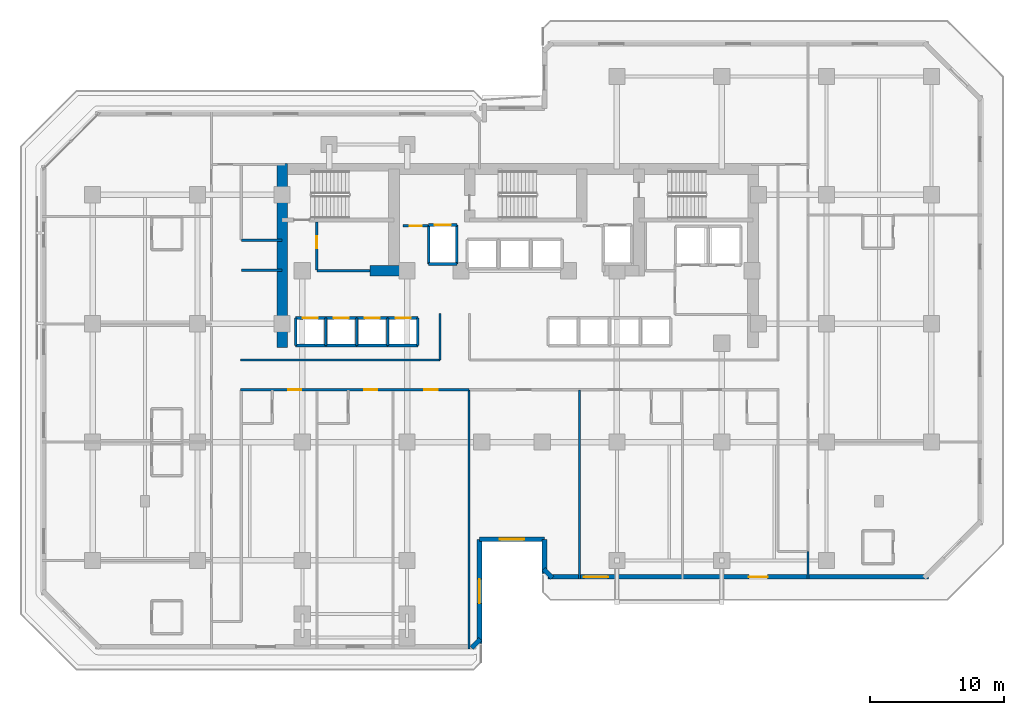
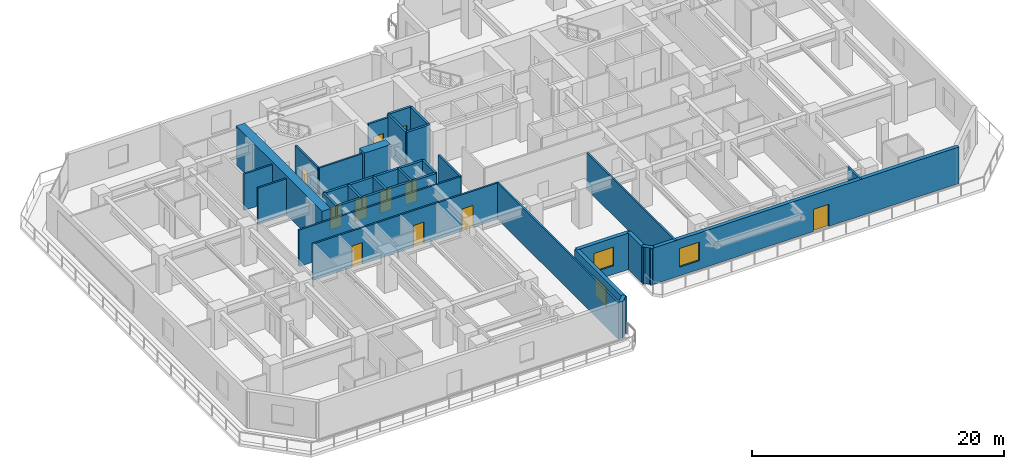
# One storey, part 7 of 12: 36 walls, 11 doors, 3 windows, 14 openings.
"""IFC4 building model written with IfcOpenShell, lengths in metres."""

import ifcopenshell
import ifcopenshell.guid

model = None  # the IFC model being written
_history = None  # IfcOwnerHistory: only IFC2X3 demands one
_inside = {}  # id of a spatial element -> (the spatial element, [elements in it])
_under = {}  # id of a project, library or spatial element -> (it, [spatial elements below it])
_declared = {}  # id of a project -> (the project, [libraries it declares])
_typed = {}  # id of a type object -> (the type object, [elements of that type])
_made_of = {}  # id of a material, layer set ... -> (it, [elements and type objects made of it])


def new_model(schema):
    """Start an empty IFC model of exactly this schema.

    Asked for "IFC4X3", IfcOpenShell would pick the latest addendum, in which some entities
    have other attributes; the version numbers below select the first issue.
    IFC2X3 requires an IfcOwnerHistory on every rooted entity: one is made here for all.
    """
    global model, _history
    if schema == "IFC4X3":
        model = ifcopenshell.file(schema_version=(4, 3, 0, 0))
    else:
        model = ifcopenshell.file(schema=schema)
    _inside.clear()
    _under.clear()
    _declared.clear()
    _typed.clear()
    _made_of.clear()
    _history = None
    if model.schema == "IFC2X3":
        org = make("IfcOrganization", Name="unknown")
        user = make(
            "IfcPersonAndOrganization",
            ThePerson=make("IfcPerson", FamilyName="unknown"),
            TheOrganization=org,
        )
        app = make(
            "IfcApplication",
            ApplicationDeveloper=org,
            Version="unknown",
            ApplicationFullName="unknown",
            ApplicationIdentifier="unknown",
        )
        _history = make(
            "IfcOwnerHistory",
            OwningUser=user,
            OwningApplication=app,
            ChangeAction="ADDED",
            CreationDate=0,
        )
    return model


def make(cls, **values):
    """One entity of the class cls with the attributes given. An attribute that is None is left unset."""
    return model.create_entity(
        cls, **{name: value for name, value in values.items() if value is not None}
    )


def rooted(cls, **values):
    """An entity with a GlobalId (a new one), such as an element, a storey or a relation."""
    return make(cls, GlobalId=ifcopenshell.guid.new(), OwnerHistory=_history, **values)


def si_unit(unit_type, name, prefix=None):
    """IfcSIUnit, for example si_unit("LENGTHUNIT", "METRE", prefix="MILLI")."""
    return make("IfcSIUnit", UnitType=unit_type, Prefix=prefix, Name=name)


def assignment(units):
    """IfcUnitAssignment: the units of a project."""
    return None if units is None else make("IfcUnitAssignment", Units=units)


def point(xyz):
    """IfcCartesianPoint."""
    return None if xyz is None else make("IfcCartesianPoint", Coordinates=xyz)


def direction(xyz):
    """IfcDirection."""
    return None if xyz is None else make("IfcDirection", DirectionRatios=xyz)


def frame(location, z_axis=None, x_axis=None):
    """IfcAxis2Placement3D, a coordinate frame: its origin and axes. An axis left out is left unset."""
    return make(
        "IfcAxis2Placement3D",
        Location=point(location),
        Axis=direction(z_axis),
        RefDirection=direction(x_axis),
    )


def frame_2d(location, x_axis=None):
    """IfcAxis2Placement2D, a coordinate frame in the plane: its origin and x axis."""
    return make(
        "IfcAxis2Placement2D", Location=point(location), RefDirection=direction(x_axis)
    )


def origin():
    """The frame at (0, 0, 0) with its axes left unset."""
    return frame((0.0, 0.0, 0.0))


def place(relative_to, where):
    """IfcLocalPlacement: puts the frame where relative to a parent placement (None: the world)."""
    return make(
        "IfcLocalPlacement", PlacementRelTo=relative_to, RelativePlacement=where
    )


def context(
    kind, dimensions, precision=None, world=None, true_north=None, identifier=None
):
    """IfcGeometricRepresentationContext, for example the 3D "Model" context."""
    return make(
        "IfcGeometricRepresentationContext",
        ContextIdentifier=identifier,
        ContextType=kind,
        CoordinateSpaceDimension=dimensions,
        Precision=precision,
        WorldCoordinateSystem=world,
        TrueNorth=true_north,
    )


def subcontext(parent, identifier, kind, view, scale=None):
    """IfcGeometricRepresentationSubContext, for example "Body" below "Model"."""
    return make(
        "IfcGeometricRepresentationSubContext",
        ContextIdentifier=identifier,
        ContextType=kind,
        ParentContext=parent,
        TargetScale=scale,
        TargetView=view,
    )


def project(units=None, contexts=None):
    """IfcProject with its units and contexts."""
    return rooted(
        "IfcProject",
        Name="project",
        RepresentationContexts=contexts,
        UnitsInContext=assignment(units),
    )


def spatial(cls, under=None, at=None, **own):
    """A site, building, storey or space (cls), placed at a placement, below another one or the project."""
    s = rooted(cls, ObjectPlacement=at, **own)
    if under is not None:
        _under.setdefault(under.id(), (under, []))[1].append(s)
    return s


def profile(cls, at=None, kind="AREA", **sizes):
    """A parametric profile (cls). Its sizes go by their IFC names, for example OverallWidth=200.0."""
    return make(cls, ProfileType=kind, Position=at, **sizes)


def rectangle(**sizes):
    """IfcRectangleProfileDef."""
    return profile("IfcRectangleProfileDef", **sizes)


def extrude(swept, where, along, depth):
    """IfcExtrudedAreaSolid: the profile swept, set in the frame where, extruded along a direction by depth."""
    return make(
        "IfcExtrudedAreaSolid",
        SweptArea=swept,
        Position=where,
        ExtrudedDirection=direction(along),
        Depth=depth,
    )


def shape(context_of_items, identifier, shape_type, items):
    """IfcShapeRepresentation: the items that make up one representation, for example the "Body"."""
    return make(
        "IfcShapeRepresentation",
        ContextOfItems=context_of_items,
        RepresentationIdentifier=identifier,
        RepresentationType=shape_type,
        Items=items,
    )


def material(Name=None, Category=None):
    """IfcMaterial."""
    return make("IfcMaterial", Name=Name, Category=Category)


def layer(
    of_material, thickness, ventilated=None, Name=None, Category=None, Priority=None
):
    """IfcMaterialLayer: one layer of a wall or slab, of a material (None: an air gap)."""
    return make(
        "IfcMaterialLayer",
        Material=of_material,
        LayerThickness=thickness,
        IsVentilated=ventilated,
        Name=Name,
        Category=Category,
        Priority=Priority,
    )


def layer_set(layers, Name=None):
    """IfcMaterialLayerSet."""
    return make("IfcMaterialLayerSet", MaterialLayers=layers, LayerSetName=Name)


def made_of(thing, what):
    """Note that an element or type object is made of a material, layer set ...; save() writes the relation."""
    if what is not None:
        _made_of.setdefault(what.id(), (what, []))[1].append(thing)
    return thing


def type_object(cls, material=None, **own):
    """A type object (cls), such as IfcWallType, which elements share."""
    return made_of(rooted(cls, **own), material)


def element(
    cls,
    number,
    at=None,
    inside=None,
    cuts=None,
    type_object=None,
    material=None,
    context=None,
    identifier="Body",
    shape_type=None,
    held_by="IfcProductDefinitionShape",
    body=None,
    shapes=None,
    **own,
):
    """One element of the class cls, such as IfcWall. Its Tag is "e" and its number.

    at: its placement. inside: the storey or other place that contains it. cuts: it is an
    opening in that element (IfcRelVoidsElement). A single representation is given by context,
    identifier, shape_type and body (its items); several are given by shapes. held_by: the class
    of the entity that holds the representations. save() writes the other relations.
    """
    e = rooted(cls, Tag="e%d" % number, ObjectPlacement=at, **own)
    if body is not None:
        shapes = [shape(context, identifier, shape_type, body)]
    if shapes is not None:
        e.Representation = make(held_by, Representations=shapes)
    if inside is not None:
        _inside.setdefault(inside.id(), (inside, []))[1].append(e)
    if cuts is not None:
        rooted(
            "IfcRelVoidsElement", RelatingBuildingElement=cuts, RelatedOpeningElement=e
        )
    if type_object is not None:
        _typed.setdefault(type_object.id(), (type_object, []))[1].append(e)
    return made_of(e, material)


def fill(opening, filler):
    """IfcRelFillsElement: the door or window that sits in an opening."""
    return rooted(
        "IfcRelFillsElement",
        RelatingOpeningElement=opening,
        RelatedBuildingElement=filler,
    )


def aggregate(whole, parts):
    """IfcRelAggregates: a whole, such as a stair, and the parts it consists of."""
    return rooted("IfcRelAggregates", RelatingObject=whole, RelatedObjects=parts)


def save(model, path):
    """Write the relations noted so far, then the file.

    IfcRelAggregates (storeys below a building ...), IfcRelContainedInSpatialStructure (elements
    in a storey), IfcRelDefinesByType, IfcRelAssociatesMaterial and IfcRelDeclares: one each for
    every whole, place, type object, material and project.
    """
    for whole, parts in _under.values():
        aggregate(whole, parts)
    for where, things in _inside.values():
        rooted(
            "IfcRelContainedInSpatialStructure",
            RelatedElements=things,
            RelatingStructure=where,
        )
    for kind, things in _typed.values():
        rooted("IfcRelDefinesByType", RelatedObjects=things, RelatingType=kind)
    for what, things in _made_of.values():
        rooted("IfcRelAssociatesMaterial", RelatedObjects=things, RelatingMaterial=what)
    for by, libraries in _declared.values():
        rooted("IfcRelDeclares", RelatingContext=by, RelatedDefinitions=libraries)
    model.write(path)


model = new_model("IFC4")

# Units and contexts
model_context = context("Model", 3, precision=1e-05, world=origin(), true_north=direction((0.0, 1.0)))
body_context = subcontext(model_context, "Body", "Model", "MODEL_VIEW")
ifc_project = project(units=[si_unit("LENGTHUNIT", "METRE"), si_unit("AREAUNIT", "SQUARE_METRE"), si_unit("VOLUMEUNIT", "CUBIC_METRE"), si_unit("PLANEANGLEUNIT", "RADIAN"), si_unit("MASSUNIT", "GRAM", prefix="KILO")], contexts=[model_context])

# Site, building, storey
site_placement = place(None, origin())
site = spatial("IfcSite", under=ifc_project, at=site_placement, CompositionType="ELEMENT")
building_placement = place(site_placement, origin())
building = spatial("IfcBuilding", under=site, at=building_placement, Name="Kestravale Grand Hotel", CompositionType="ELEMENT")
storey_placement = place(building_placement, frame((0.0, 0.0, 80.39990234375)))
storey = spatial("IfcBuildingStorey", under=building, at=storey_placement, Name="L19", CompositionType="ELEMENT", Elevation=80.39990234375)

# Walls
ifc_material_1 = material(Name="Concrete f'c 60 MPa", Category="concrete")
ifc_layer_1 = layer(ifc_material_1, 0.800048828125)
ifc_layer_set_1 = layer_set([ifc_layer_1], Name="EW-CORE-800")
wall_type_1 = type_object("IfcWallType", Name="EW-CORE-800", PredefinedType="SHEAR", material=ifc_layer_set_1)
wall_1_placement = place(storey_placement, frame((21.89990234375, 27.050048828125, 0.0), z_axis=(0.0, 0.0, 1.0), x_axis=(0.0, 1.0, 0.0)))
element("IfcWall", 1, at=wall_1_placement, inside=storey, type_object=wall_type_1, Name="L19 core shear wall W1", PredefinedType="SHEAR", context=body_context, shape_type="SweptSolid", body=[
    extrude(rectangle(XDim=13.669921875, YDim=0.800048828125, at=frame_2d((6.8349609375, 0.0))), origin(), (0.0, 0.0, 1.0), 3.800048828125),
])
wall_2_placement = place(storey_placement, frame((28.449951171875, 32.75, 0.0), z_axis=(0.0, 0.0, 1.0), x_axis=(1.0, 0.0, 0.0)))
element("IfcWall", 2, at=wall_2_placement, inside=storey, type_object=wall_type_1, Name="L19 core shear wall S1", PredefinedType="SHEAR", context=body_context, shape_type="SweptSolid", body=[
    extrude(rectangle(XDim=2.400146484375, YDim=0.800048828125, at=frame_2d((1.2001953125, 0.0))), origin(), (0.0, 0.0, 1.0), 3.800048828125),
])
ifc_material_2 = material(Name="Precast concrete f'c 45 MPa", Category="concrete")
ifc_layer_2 = layer(ifc_material_2, 0.340087890625)
ifc_layer_set_2 = layer_set([ifc_layer_2], Name="EW-PREC-340")
wall_type_2 = type_object("IfcWallType", Name="EW-PREC-340", PredefinedType="SOLIDWALL", material=ifc_layer_set_2)
wall_3_placement = place(storey_placement, frame((36.00146484375, 4.69189453125, 0.0), z_axis=(0.0, 0.0, 1.0), x_axis=(0.707238225886, 0.706975312048, 0.0)))
element("IfcWall", 3, at=wall_3_placement, inside=storey, type_object=wall_type_2, Name="L19 fluted precast facade wall 2", PredefinedType="SOLIDWALL", context=body_context, shape_type="SweptSolid", body=[
    extrude(rectangle(XDim=0.9287109375, YDim=0.340087890625, at=frame_2d((0.46435546875, 0.0))), origin(), (0.0, 0.0, 1.0), 3.5400390625),
])

# Wall, opening, window
wall_4_placement = place(storey_placement, frame((36.580078125, 5.030029296875, 0.0), z_axis=(0.0, 0.0, 1.0), x_axis=(0.0, 1.0, 0.0)))
wall_4 = element("IfcWall", 4, at=wall_4_placement, inside=storey, type_object=wall_type_2, Name="L19 fluted precast facade wall 3", PredefinedType="SOLIDWALL", context=body_context, shape_type="SweptSolid", body=[
    extrude(rectangle(XDim=7.739990234375, YDim=0.340087890625, at=frame_2d((3.8701171875, 0.0))), origin(), (0.0, 0.0, 1.0), 3.5400390625),
])
opening_1_placement = place(wall_4_placement, frame((2.969970703125, 0.0, 0.85009765625)))
opening_1 = element("IfcOpeningElement", 5, at=opening_1_placement, cuts=wall_4, Name="Opening W-GUEST-1800", PredefinedType="OPENING", context=body_context, shape_type="SweptSolid", body=[
    extrude(rectangle(XDim=1.800048828125, YDim=1.800048828125, at=frame_2d((0.89990234375, 0.89990234375))), frame((0.0, 0.179931640625, 0.0), z_axis=(0.0, -1.0, 0.0), x_axis=(1.0, 0.0, 0.0)), (0.0, 0.0, 1.0), 0.360107421875),
])
ifc_material_3 = material(Name="Insulated low-E double glazing in aluminium frame", Category="aluminium")
window_type = type_object("IfcWindowType", Name="W-GUEST-1800", PartitioningType="DOUBLE_PANEL_VERTICAL", PredefinedType="WINDOW", material=ifc_material_3)
window_1_placement = place(opening_1_placement, origin())
window_1 = element("IfcWindow", 6, at=window_1_placement, inside=storey, type_object=window_type, Name="L19 exterior window 3.1", OverallHeight=1.800048828125, OverallWidth=1.800048828125, PartitioningType="SINGLE_PANEL", PredefinedType="WINDOW", context=body_context, shape_type="SweptSolid", body=[
    extrude(rectangle(XDim=1.800048828125, YDim=1.800048828125, at=frame_2d((0.89990234375, 0.89990234375))), frame((0.0, 0.030029296875, 0.0), z_axis=(0.0, -1.0, 0.0), x_axis=(1.0, 0.0, 0.0)), (0.0, 0.0, 1.0), 0.06005859375),
])
fill(opening_1, window_1)

wall_5_placement = place(storey_placement, frame((36.580078125, 12.77001953125, 0.0), z_axis=(0.0, 0.0, 1.0), x_axis=(1.0, 0.0, 0.0)))
wall_5 = element("IfcWall", 7, at=wall_5_placement, inside=storey, type_object=wall_type_2, Name="L19 fluted precast facade wall 4", PredefinedType="SOLIDWALL", context=body_context, shape_type="SweptSolid", body=[
    extrude(rectangle(XDim=4.83984375, YDim=0.340087890625, at=frame_2d((2.419921875, 0.0))), origin(), (0.0, 0.0, 1.0), 3.5400390625),
])
opening_2_placement = place(wall_5_placement, frame((1.52001953125, 0.0, 0.85009765625)))
opening_2 = element("IfcOpeningElement", 8, at=opening_2_placement, cuts=wall_5, Name="Opening W-GUEST-1800", PredefinedType="OPENING", context=body_context, shape_type="SweptSolid", body=[
    extrude(rectangle(XDim=1.800048828125, YDim=1.800048828125, at=frame_2d((0.89990234375, 0.89990234375))), frame((0.0, 0.179931640625, 0.0), z_axis=(0.0, -1.0, 0.0), x_axis=(1.0, 0.0, 0.0)), (0.0, 0.0, 1.0), 0.360107421875),
])
window_2_placement = place(opening_2_placement, origin())
window_2 = element("IfcWindow", 9, at=window_2_placement, inside=storey, type_object=window_type, Name="L19 exterior window 4.1", OverallHeight=1.800048828125, OverallWidth=1.800048828125, PartitioningType="SINGLE_PANEL", PredefinedType="WINDOW", context=body_context, shape_type="SweptSolid", body=[
    extrude(rectangle(XDim=1.800048828125, YDim=1.800048828125, at=frame_2d((0.89990234375, 0.89990234375))), frame((0.0, 0.030029296875, 0.0), z_axis=(0.0, -1.0, 0.0), x_axis=(1.0, 0.0, 0.0)), (0.0, 0.0, 1.0), 0.06005859375),
])
fill(opening_2, window_2)

# Walls
wall_6_placement = place(storey_placement, frame((41.419921875, 12.77001953125, 0.0), z_axis=(0.0, 0.0, 1.0), x_axis=(0.0, -1.0, 0.0)))
element("IfcWall", 10, at=wall_6_placement, inside=storey, type_object=wall_type_2, Name="L19 fluted precast facade wall 5", PredefinedType="SOLIDWALL", context=body_context, shape_type="SweptSolid", body=[
    extrude(rectangle(XDim=2.5400390625, YDim=0.340087890625, at=frame_2d((1.27001953125, 0.0))), origin(), (0.0, 0.0, 1.0), 3.5400390625),
])
wall_7_placement = place(storey_placement, frame((41.341796875, 10.548583984375, 0.0), z_axis=(0.0, 0.0, 1.0), x_axis=(0.707106781187, -0.707106781187, 0.0)))
element("IfcWall", 11, at=wall_7_placement, inside=storey, type_object=wall_type_2, Name="L19 fluted precast facade wall 6", PredefinedType="SOLIDWALL", context=body_context, shape_type="SweptSolid", body=[
    extrude(rectangle(XDim=0.9287109375, YDim=0.340087890625, at=frame_2d((0.46435546875, 0.0))), origin(), (0.0, 0.0, 1.0), 3.5400390625),
])

# Wall, openings, door, window
wall_8_placement = place(storey_placement, frame((41.679931640625, 9.969970703125, 0.0), z_axis=(0.0, 0.0, 1.0), x_axis=(1.0, 0.0, 0.0)))
wall_8 = element("IfcWall", 12, at=wall_8_placement, inside=storey, type_object=wall_type_2, Name="L19 fluted precast facade wall 7", PredefinedType="SOLIDWALL", context=body_context, shape_type="SweptSolid", body=[
    extrude(rectangle(XDim=28.2900390625, YDim=0.340087890625, at=frame_2d((14.14501953125, 0.0))), origin(), (0.0, 0.0, 1.0), 3.5400390625),
])
opening_3_placement = place(wall_8_placement, frame((14.945068359375, 0.0, 0.0)))
opening_3 = element("IfcOpeningElement", 13, at=opening_3_placement, cuts=wall_8, Name="Opening D-TERR-1400", PredefinedType="OPENING", context=body_context, shape_type="SweptSolid", body=[
    extrude(rectangle(XDim=1.39990234375, YDim=2.14990234375, at=frame_2d((0.699951171875, 1.074951171875))), frame((0.0, 0.179931640625, 0.0), z_axis=(0.0, -1.0, 0.0), x_axis=(1.0, 0.0, 0.0)), (0.0, 0.0, 1.0), 0.360107421875),
])
opening_4_placement = place(wall_8_placement, frame((2.6650390625, 0.0, 0.85009765625)))
opening_4 = element("IfcOpeningElement", 14, at=opening_4_placement, cuts=wall_8, Name="Opening W-GUEST-1800", PredefinedType="OPENING", context=body_context, shape_type="SweptSolid", body=[
    extrude(rectangle(XDim=1.800048828125, YDim=1.800048828125, at=frame_2d((0.89990234375, 0.89990234375))), frame((0.0, 0.179931640625, 0.0), z_axis=(0.0, -1.0, 0.0), x_axis=(1.0, 0.0, 0.0)), (0.0, 0.0, 1.0), 0.360107421875),
])
ifc_material_4 = material(Name="Insulated glazed champagne-bronze aluminium door", Category="aluminium")
door_type_1 = type_object("IfcDoorType", Name="D-TERR-1400", OperationType="NOTDEFINED", PredefinedType="DOOR", material=ifc_material_4)
door_1_placement = place(opening_3_placement, origin())
door_1 = element("IfcDoor", 15, at=door_1_placement, inside=storey, type_object=door_type_1, Name="L19 outdoor garden terrace door", OperationType="DOUBLE_DOOR_SINGLE_SWING", OverallHeight=2.14990234375, OverallWidth=1.39990234375, PredefinedType="DOOR", context=body_context, shape_type="SweptSolid", body=[
    extrude(rectangle(XDim=1.39990234375, YDim=2.14990234375, at=frame_2d((0.699951171875, 1.074951171875))), frame((0.0, 0.02490234375, 0.0), z_axis=(0.0, -1.0, 0.0), x_axis=(1.0, 0.0, 0.0)), (0.0, 0.0, 1.0), 0.050048828125),
])
fill(opening_3, door_1)
window_3_placement = place(opening_4_placement, origin())
window_3 = element("IfcWindow", 16, at=window_3_placement, inside=storey, type_object=window_type, Name="L19 exterior window 7.1", OverallHeight=1.800048828125, OverallWidth=1.800048828125, PartitioningType="SINGLE_PANEL", PredefinedType="WINDOW", context=body_context, shape_type="SweptSolid", body=[
    extrude(rectangle(XDim=1.800048828125, YDim=1.800048828125, at=frame_2d((0.89990234375, 0.89990234375))), frame((0.0, 0.030029296875, 0.0), z_axis=(0.0, -1.0, 0.0), x_axis=(1.0, 0.0, 0.0)), (0.0, 0.0, 1.0), 0.06005859375),
])
fill(opening_4, window_3)

# Wall, opening, door
ifc_material_5 = material(Name="Acoustic fire-rated gypsum board partition", Category="other")
ifc_layer_3 = layer(ifc_material_5, 0.159912109375)
ifc_layer_set_3 = layer_set([ifc_layer_3], Name="IW-CORR-160")
wall_type_3 = type_object("IfcWallType", Name="IW-CORR-160", PredefinedType="PARTITIONING", material=ifc_layer_set_3)
wall_9_placement = place(storey_placement, frame((24.47998046875, 32.800048828125, 0.0), z_axis=(0.0, 0.0, 1.0), x_axis=(0.0, 1.0, 0.0)))
wall_9 = element("IfcWall", 17, at=wall_9_placement, inside=storey, type_object=wall_type_3, Name="L19 west core vestibule wall", PredefinedType="PARTITIONING", context=body_context, shape_type="SweptSolid", body=[
    extrude(rectangle(XDim=3.570068359375, YDim=0.159912109375, at=frame_2d((1.78515625, 0.0))), origin(), (0.0, 0.0, 1.0), 3.5400390625),
])
opening_5_placement = place(wall_9_placement, frame((1.603515625, 0.0, 0.0)))
opening_5 = element("IfcOpeningElement", 18, at=opening_5_placement, cuts=wall_9, Name="Opening D-SH-900", PredefinedType="OPENING", context=body_context, shape_type="SweptSolid", body=[
    extrude(rectangle(XDim=0.89990234375, YDim=2.10009765625, at=frame_2d((0.449951171875, 1.050048828125))), frame((0.0, 0.08984375, 0.0), z_axis=(0.0, -1.0, 0.0), x_axis=(1.0, 0.0, 0.0)), (0.0, 0.0, 1.0), 0.179931640625),
])
ifc_material_6 = material(Name="Galvanised 90-minute shaft and service fire door", Category="steel")
door_type_2 = type_object("IfcDoorType", Name="D-SH-900", OperationType="NOTDEFINED", PredefinedType="DOOR", material=ifc_material_6)
door_2_placement = place(opening_5_placement, origin())
door_2 = element("IfcDoor", 19, at=door_2_placement, inside=storey, type_object=door_type_2, Name="D-L19-HK", OperationType="SINGLE_SWING_RIGHT", OverallHeight=2.10009765625, OverallWidth=0.89990234375, PredefinedType="DOOR", context=body_context, shape_type="SweptSolid", body=[
    extrude(rectangle(XDim=0.89990234375, YDim=2.10009765625, at=frame_2d((0.449951171875, 1.050048828125))), frame((0.0, 0.02490234375, 0.0), z_axis=(0.0, -1.0, 0.0), x_axis=(1.0, 0.0, 0.0)), (0.0, 0.0, 1.0), 0.050048828125),
])
fill(opening_5, door_2)

# Walls
wall_10_placement = place(storey_placement, frame((24.47998046875, 32.75, 0.0), z_axis=(0.0, 0.0, 1.0), x_axis=(1.0, 0.0, 0.0)))
element("IfcWall", 20, at=wall_10_placement, inside=storey, type_object=wall_type_3, Name="W-L19-CWS", PredefinedType="PARTITIONING", context=body_context, shape_type="SweptSolid", body=[
    extrude(rectangle(XDim=3.969970703125, YDim=0.159912109375, at=frame_2d((1.98486328125, 0.0))), origin(), (0.0, 0.0, 1.0), 3.5400390625),
])
wall_11_placement = place(storey_placement, frame((18.800048828125, 26.110107421875, 0.0), z_axis=(0.0, 0.0, 1.0), x_axis=(1.0, 0.0, 0.0)))
element("IfcWall", 21, at=wall_11_placement, inside=storey, type_object=wall_type_3, Name="W-L19-CW-N", PredefinedType="PARTITIONING", context=body_context, shape_type="SweptSolid", body=[
    extrude(rectangle(XDim=14.849853515625, YDim=0.159912109375, at=frame_2d((7.4248046875, 0.0))), origin(), (0.0, 0.0, 1.0), 3.5400390625),
])
wall_12_placement = place(storey_placement, frame((33.64990234375, 26.110107421875, 0.0), z_axis=(0.0, 0.0, 1.0), x_axis=(0.0, 1.0, 0.0)))
element("IfcWall", 22, at=wall_12_placement, inside=storey, type_object=wall_type_3, Name="W-L19-TRUNK-W", PredefinedType="PARTITIONING", context=body_context, shape_type="SweptSolid", body=[
    extrude(rectangle(XDim=3.43994140625, YDim=0.159912109375, at=frame_2d((1.719970703125, 0.0))), origin(), (0.0, 0.0, 1.0), 3.5400390625),
])

# Wall, openings, doors
wall_13_placement = place(storey_placement, frame((18.800048828125, 23.889892578125, 0.0), z_axis=(0.0, 0.0, 1.0), x_axis=(1.0, 0.0, 0.0)))
wall_13 = element("IfcWall", 23, at=wall_13_placement, inside=storey, type_object=wall_type_3, Name="W-L19-CW-S", PredefinedType="PARTITIONING", context=body_context, shape_type="SweptSolid", body=[
    extrude(rectangle(XDim=17.0, YDim=0.159912109375, at=frame_2d((8.5, 0.0))), origin(), (0.0, 0.0, 1.0), 3.5400390625),
])
opening_6_placement = place(wall_13_placement, frame((3.563232421875, 0.0, 0.0)))
opening_6 = element("IfcOpeningElement", 24, at=opening_6_placement, cuts=wall_13, Name="Opening D-GUEST-950", PredefinedType="OPENING", context=body_context, shape_type="SweptSolid", body=[
    extrude(rectangle(XDim=0.949951171875, YDim=2.10009765625, at=frame_2d((0.47509765625, 1.050048828125))), frame((0.0, 0.08984375, 0.0), z_axis=(0.0, -1.0, 0.0), x_axis=(1.0, 0.0, 0.0)), (0.0, 0.0, 1.0), 0.179931640625),
])
opening_7_placement = place(wall_13_placement, frame((9.2099609375, 0.0, 0.0)))
opening_7 = element("IfcOpeningElement", 25, at=opening_7_placement, cuts=wall_13, Name="Opening D-GUEST-950", PredefinedType="OPENING", context=body_context, shape_type="SweptSolid", body=[
    extrude(rectangle(XDim=0.949951171875, YDim=2.10009765625, at=frame_2d((0.47509765625, 1.050048828125))), frame((0.0, 0.08984375, 0.0), z_axis=(0.0, -1.0, 0.0), x_axis=(1.0, 0.0, 0.0)), (0.0, 0.0, 1.0), 0.179931640625),
])
opening_8_placement = place(wall_13_placement, frame((13.6767578125, 0.0, 0.0)))
opening_8 = element("IfcOpeningElement", 26, at=opening_8_placement, cuts=wall_13, Name="Opening D-GUEST-1000", PredefinedType="OPENING", context=body_context, shape_type="SweptSolid", body=[
    extrude(rectangle(XDim=1.0, YDim=2.14990234375, at=frame_2d((0.5, 1.074951171875))), frame((0.0, 0.08984375, 0.0), z_axis=(0.0, -1.0, 0.0), x_axis=(1.0, 0.0, 0.0)), (0.0, 0.0, 1.0), 0.179931640625),
])
ifc_material_7 = material(Name="Accessible walnut veneer hotel entrance fire door", Category="wood")
door_type_3 = type_object("IfcDoorType", Name="D-GUEST-1000", OperationType="NOTDEFINED", PredefinedType="DOOR", material=ifc_material_7)
door_3_placement = place(opening_8_placement, origin())
door_3 = element("IfcDoor", 27, at=door_3_placement, inside=storey, type_object=door_type_3, Name="D-L19-AMW", OperationType="SINGLE_SWING_RIGHT", OverallHeight=2.14990234375, OverallWidth=1.0, PredefinedType="DOOR", context=body_context, shape_type="SweptSolid", body=[
    extrude(rectangle(XDim=1.0, YDim=2.14990234375, at=frame_2d((0.5, 1.074951171875))), frame((0.0, 0.02490234375, 0.0), z_axis=(0.0, -1.0, 0.0), x_axis=(1.0, 0.0, 0.0)), (0.0, 0.0, 1.0), 0.050048828125),
])
fill(opening_8, door_3)
ifc_material_8 = material(Name="Walnut veneer hotel guestroom entrance fire door", Category="wood")
door_type_4 = type_object("IfcDoorType", Name="D-GUEST-950", OperationType="NOTDEFINED", PredefinedType="DOOR", material=ifc_material_8)
door_4_placement = place(opening_6_placement, origin())
door_4 = element("IfcDoor", 28, at=door_4_placement, inside=storey, type_object=door_type_4, Name="D-L19-U01-ENT", OperationType="SINGLE_SWING_LEFT", OverallHeight=2.10009765625, OverallWidth=0.949951171875, PredefinedType="DOOR", context=body_context, shape_type="SweptSolid", body=[
    extrude(rectangle(XDim=0.949951171875, YDim=2.10009765625, at=frame_2d((0.47509765625, 1.050048828125))), frame((0.0, 0.02490234375, 0.0), z_axis=(0.0, -1.0, 0.0), x_axis=(1.0, 0.0, 0.0)), (0.0, 0.0, 1.0), 0.050048828125),
])
fill(opening_6, door_4)
door_5_placement = place(opening_7_placement, origin())
door_5 = element("IfcDoor", 29, at=door_5_placement, inside=storey, type_object=door_type_4, Name="D-L19-U02-ENT", OperationType="SINGLE_SWING_LEFT", OverallHeight=2.10009765625, OverallWidth=0.949951171875, PredefinedType="DOOR", context=body_context, shape_type="SweptSolid", body=[
    extrude(rectangle(XDim=0.949951171875, YDim=2.10009765625, at=frame_2d((0.47509765625, 1.050048828125))), frame((0.0, 0.02490234375, 0.0), z_axis=(0.0, -1.0, 0.0), x_axis=(1.0, 0.0, 0.0)), (0.0, 0.0, 1.0), 0.050048828125),
])
fill(opening_7, door_5)

# Walls
for number, where, z_axis, x_axis, name in (
    (30, (18.860107421875, 35.02001953125, 0.0), (0.0, 0.0, 1.0), (1.0, 0.0, 0.0), "W-L19-SW-CN"),
    (31, (18.860107421875, 32.780029296875, 0.0), (0.0, 0.0, 1.0), (1.0, 0.0, 0.0), "W-L19-SW-CS"),
):
    element("IfcWall", number, at=place(storey_placement, frame(where, z_axis=z_axis, x_axis=x_axis)), inside=storey, type_object=wall_type_3, Name=name, PredefinedType="PARTITIONING", context=body_context, shape_type="SweptSolid", body=[
        extrude(rectangle(XDim=3.039794921875, YDim=0.159912109375, at=frame_2d((1.52001953125, 0.0))), origin(), (0.0, 0.0, 1.0), 3.5400390625),
    ])

# Wall, opening, door
ifc_material_9 = material(Name="Fire-rated gypsum board on steel studs with mineral wool", Category="steel")
ifc_layer_4 = layer(ifc_material_9, 0.179931640625)
ifc_layer_set_4 = layer_set([ifc_layer_4], Name="IW-FSAE-180")
wall_type_4 = type_object("IfcWallType", Name="IW-FSAE-180", PredefinedType="PARTITIONING", material=ifc_layer_set_4)
wall_14_placement = place(storey_placement, frame((30.89990234375, 36.080078125, 0.0), z_axis=(0.0, 0.0, 1.0), x_axis=(1.0, 0.0, 0.0)))
wall_14 = element("IfcWall", 32, at=wall_14_placement, inside=storey, type_object=wall_type_4, Name="L19 FSAE Lobby 1 smoke barrier", PredefinedType="PARTITIONING", context=body_context, shape_type="SweptSolid", body=[
    extrude(rectangle(XDim=1.85009765625, YDim=0.179931640625, at=frame_2d((0.925048828125, 0.0))), origin(), (0.0, 0.0, 1.0), 3.5400390625),
])
opening_9_placement = place(wall_14_placement, frame((0.47998046875, 0.0, 0.0)))
opening_9 = element("IfcOpeningElement", 33, at=opening_9_placement, cuts=wall_14, Name="Opening D-FSAE-1000", PredefinedType="OPENING", context=body_context, shape_type="SweptSolid", body=[
    extrude(rectangle(XDim=0.89990234375, YDim=2.14990234375, at=frame_2d((0.449951171875, 1.074951171875))), frame((0.0, 0.099853515625, 0.0), z_axis=(0.0, -1.0, 0.0), x_axis=(1.0, 0.0, 0.0)), (0.0, 0.0, 1.0), 0.199951171875),
])
ifc_material_10 = material(Name="Smoke-gasketed FSAE lobby fire door", Category="steel")
door_type_5 = type_object("IfcDoorType", Name="D-FSAE-1000", OperationType="NOTDEFINED", PredefinedType="DOOR", material=ifc_material_10)
door_6_placement = place(opening_9_placement, origin())
door_6 = element("IfcDoor", 34, at=door_6_placement, inside=storey, type_object=door_type_5, Name="L19 FSAE Lobby 1 fire door", OperationType="SINGLE_SWING_RIGHT", OverallHeight=2.14990234375, OverallWidth=0.89990234375, PredefinedType="DOOR", context=body_context, shape_type="SweptSolid", body=[
    extrude(rectangle(XDim=0.89990234375, YDim=2.14990234375, at=frame_2d((0.449951171875, 1.074951171875))), frame((0.0, 0.02490234375, 0.0), z_axis=(0.0, -1.0, 0.0), x_axis=(1.0, 0.0, 0.0)), (0.0, 0.0, 1.0), 0.050048828125),
])
fill(opening_9, door_6)

# Walls
ifc_material_11 = material(Name="Concrete f'c 45 MPa", Category="concrete")
ifc_layer_5 = layer(ifc_material_11, 0.199951171875)
ifc_layer_set_5 = layer_set([ifc_layer_5], Name="IW-SHAFT-200")
wall_type_5 = type_object("IfcWallType", Name="IW-SHAFT-200", PredefinedType="SHEAR", material=ifc_layer_set_5)
for number, where, z_axis, x_axis, name in (
    (35, (22.905029296875, 27.169921875, 0.0), (0.0, 0.0, 1.0), (0.0, 1.0, 0.0), "L19 PL-L1 west shaft wall"),
    (36, (25.14990234375, 27.169921875, 0.0), (0.0, 0.0, 1.0), (0.0, 1.0, 0.0), "L19 PL-L2 west shaft wall"),
    (37, (27.449951171875, 27.169921875, 0.0), (0.0, 0.0, 1.0), (0.0, 1.0, 0.0), "L19 PL-L3 west shaft wall"),
    (38, (29.75, 27.169921875, 0.0), (0.0, 0.0, 1.0), (0.0, 1.0, 0.0), "L19 PL-L4 west shaft wall"),
    (39, (31.9951171875, 27.169921875, 0.0), (0.0, 0.0, 1.0), (0.0, 1.0, 0.0), "L19 PL-L4 east shaft wall"),
):
    element("IfcWall", number, at=place(storey_placement, frame(where, z_axis=z_axis, x_axis=x_axis)), inside=storey, type_object=wall_type_5, Name=name, PredefinedType="SHEAR", context=body_context, shape_type="SweptSolid", body=[
        extrude(rectangle(XDim=2.06005859375, YDim=0.199951171875, at=frame_2d((1.030029296875, 0.0))), origin(), (0.0, 0.0, 1.0), 3.800048828125),
    ])
for number, where, z_axis, x_axis, name in (
    (40, (32.804931640625, 33.2451171875, 0.0), (0.0, 0.0, 1.0), (0.0, 1.0, 0.0), "L19 FL-1 west shaft wall"),
    (41, (34.89501953125, 33.2451171875, 0.0), (0.0, 0.0, 1.0), (0.0, 1.0, 0.0), "L19 FL-1 east shaft wall"),
):
    element("IfcWall", number, at=place(storey_placement, frame(where, z_axis=z_axis, x_axis=x_axis)), inside=storey, type_object=wall_type_5, Name=name, PredefinedType="SHEAR", context=body_context, shape_type="SweptSolid", body=[
        extrude(rectangle(XDim=2.909912109375, YDim=0.199951171875, at=frame_2d((1.455078125, 0.0))), origin(), (0.0, 0.0, 1.0), 3.800048828125),
    ])

# Wall, opening, door
ifc_material_12 = material(Name="Concrete f'c 45 MPa", Category="concrete")
ifc_layer_6 = layer(ifc_material_12, 0.219970703125)
ifc_layer_set_6 = layer_set([ifc_layer_6], Name="IW-SHAFT-220")
wall_type_6 = type_object("IfcWallType", Name="IW-SHAFT-220", PredefinedType="SHEAR", material=ifc_layer_set_6)
wall_15_placement = place(storey_placement, frame((22.905029296875, 29.22998046875, 0.0), z_axis=(0.0, 0.0, 1.0), x_axis=(1.0, 0.0, 0.0)))
wall_15 = element("IfcWall", 42, at=wall_15_placement, inside=storey, type_object=wall_type_6, Name="L19 PL-L1 north shaft wall", PredefinedType="SHEAR", context=body_context, shape_type="SweptSolid", body=[
    extrude(rectangle(XDim=2.244873046875, YDim=0.219970703125, at=frame_2d((1.12255859375, 0.0))), origin(), (0.0, 0.0, 1.0), 3.800048828125),
])
opening_10_placement = place(wall_15_placement, frame((0.544921875, 0.0, 0.0)))
opening_10 = element("IfcOpeningElement", 43, at=opening_10_placement, cuts=wall_15, Name="Opening LD-PAX-1100", PredefinedType="OPENING", context=body_context, shape_type="SweptSolid", body=[
    extrude(rectangle(XDim=1.10009765625, YDim=2.14990234375, at=frame_2d((0.550048828125, 1.074951171875))), frame((0.0, 0.119873046875, 0.0), z_axis=(0.0, -1.0, 0.0), x_axis=(1.0, 0.0, 0.0)), (0.0, 0.0, 1.0), 0.239990234375),
])
ifc_material_13 = material(Name="Champagne-bronze center-opening sliding elevator landing door", Category="steel")
door_type_6 = type_object("IfcDoorType", Name="LD-PAX-1100", OperationType="NOTDEFINED", PredefinedType="DOOR", material=ifc_material_13)
door_7_placement = place(opening_10_placement, origin())
door_7 = element("IfcDoor", 44, at=door_7_placement, inside=storey, type_object=door_type_6, Name="L19 PL-L1 elevator landing sliding door", OperationType="DOUBLE_DOOR_SLIDING", OverallHeight=2.14990234375, OverallWidth=1.10009765625, PredefinedType="DOOR", context=body_context, shape_type="SweptSolid", body=[
    extrude(rectangle(XDim=1.10009765625, YDim=2.14990234375, at=frame_2d((0.550048828125, 1.074951171875))), frame((0.0, 0.02490234375, 0.0), z_axis=(0.0, -1.0, 0.0), x_axis=(1.0, 0.0, 0.0)), (0.0, 0.0, 1.0), 0.050048828125),
])
fill(opening_10, door_7)

# Wall
wall_16_placement = place(storey_placement, frame((22.905029296875, 27.169921875, 0.0), z_axis=(0.0, 0.0, 1.0), x_axis=(1.0, 0.0, 0.0)))
element("IfcWall", 45, at=wall_16_placement, inside=storey, type_object=wall_type_6, Name="L19 PL-L1 south shaft wall", PredefinedType="SHEAR", context=body_context, shape_type="SweptSolid", body=[
    extrude(rectangle(XDim=2.244873046875, YDim=0.219970703125, at=frame_2d((1.12255859375, 0.0))), origin(), (0.0, 0.0, 1.0), 3.800048828125),
])

# Wall, opening, door
wall_17_placement = place(storey_placement, frame((25.14990234375, 29.22998046875, 0.0), z_axis=(0.0, 0.0, 1.0), x_axis=(1.0, 0.0, 0.0)))
wall_17 = element("IfcWall", 46, at=wall_17_placement, inside=storey, type_object=wall_type_6, Name="L19 PL-L2 north shaft wall", PredefinedType="SHEAR", context=body_context, shape_type="SweptSolid", body=[
    extrude(rectangle(XDim=2.300048828125, YDim=0.219970703125, at=frame_2d((1.14990234375, 0.0))), origin(), (0.0, 0.0, 1.0), 3.800048828125),
])
opening_11_placement = place(wall_17_placement, frame((0.60009765625, 0.0, 0.0)))
opening_11 = element("IfcOpeningElement", 47, at=opening_11_placement, cuts=wall_17, Name="Opening LD-PAX-1100", PredefinedType="OPENING", context=body_context, shape_type="SweptSolid", body=[
    extrude(rectangle(XDim=1.10009765625, YDim=2.14990234375, at=frame_2d((0.550048828125, 1.074951171875))), frame((0.0, 0.119873046875, 0.0), z_axis=(0.0, -1.0, 0.0), x_axis=(1.0, 0.0, 0.0)), (0.0, 0.0, 1.0), 0.239990234375),
])
door_8_placement = place(opening_11_placement, origin())
door_8 = element("IfcDoor", 48, at=door_8_placement, inside=storey, type_object=door_type_6, Name="L19 PL-L2 elevator landing sliding door", OperationType="DOUBLE_DOOR_SLIDING", OverallHeight=2.14990234375, OverallWidth=1.10009765625, PredefinedType="DOOR", context=body_context, shape_type="SweptSolid", body=[
    extrude(rectangle(XDim=1.10009765625, YDim=2.14990234375, at=frame_2d((0.550048828125, 1.074951171875))), frame((0.0, 0.02490234375, 0.0), z_axis=(0.0, -1.0, 0.0), x_axis=(1.0, 0.0, 0.0)), (0.0, 0.0, 1.0), 0.050048828125),
])
fill(opening_11, door_8)

# Wall
wall_18_placement = place(storey_placement, frame((25.14990234375, 27.169921875, 0.0), z_axis=(0.0, 0.0, 1.0), x_axis=(1.0, 0.0, 0.0)))
element("IfcWall", 49, at=wall_18_placement, inside=storey, type_object=wall_type_6, Name="L19 PL-L2 south shaft wall", PredefinedType="SHEAR", context=body_context, shape_type="SweptSolid", body=[
    extrude(rectangle(XDim=2.300048828125, YDim=0.219970703125, at=frame_2d((1.14990234375, 0.0))), origin(), (0.0, 0.0, 1.0), 3.800048828125),
])

# Wall, opening, door
wall_19_placement = place(storey_placement, frame((27.449951171875, 29.22998046875, 0.0), z_axis=(0.0, 0.0, 1.0), x_axis=(1.0, 0.0, 0.0)))
wall_19 = element("IfcWall", 50, at=wall_19_placement, inside=storey, type_object=wall_type_6, Name="L19 PL-L3 north shaft wall", PredefinedType="SHEAR", context=body_context, shape_type="SweptSolid", body=[
    extrude(rectangle(XDim=2.300048828125, YDim=0.219970703125, at=frame_2d((1.14990234375, 0.0))), origin(), (0.0, 0.0, 1.0), 3.800048828125),
])
opening_12_placement = place(wall_19_placement, frame((0.60009765625, 0.0, 0.0)))
opening_12 = element("IfcOpeningElement", 51, at=opening_12_placement, cuts=wall_19, Name="Opening LD-PAX-1100", PredefinedType="OPENING", context=body_context, shape_type="SweptSolid", body=[
    extrude(rectangle(XDim=1.10009765625, YDim=2.14990234375, at=frame_2d((0.550048828125, 1.074951171875))), frame((0.0, 0.119873046875, 0.0), z_axis=(0.0, -1.0, 0.0), x_axis=(1.0, 0.0, 0.0)), (0.0, 0.0, 1.0), 0.239990234375),
])
door_9_placement = place(opening_12_placement, origin())
door_9 = element("IfcDoor", 52, at=door_9_placement, inside=storey, type_object=door_type_6, Name="L19 PL-L3 elevator landing sliding door", OperationType="DOUBLE_DOOR_SLIDING", OverallHeight=2.14990234375, OverallWidth=1.10009765625, PredefinedType="DOOR", context=body_context, shape_type="SweptSolid", body=[
    extrude(rectangle(XDim=1.10009765625, YDim=2.14990234375, at=frame_2d((0.550048828125, 1.074951171875))), frame((0.0, 0.02490234375, 0.0), z_axis=(0.0, -1.0, 0.0), x_axis=(1.0, 0.0, 0.0)), (0.0, 0.0, 1.0), 0.050048828125),
])
fill(opening_12, door_9)

# Wall
wall_20_placement = place(storey_placement, frame((27.449951171875, 27.169921875, 0.0), z_axis=(0.0, 0.0, 1.0), x_axis=(1.0, 0.0, 0.0)))
element("IfcWall", 53, at=wall_20_placement, inside=storey, type_object=wall_type_6, Name="L19 PL-L3 south shaft wall", PredefinedType="SHEAR", context=body_context, shape_type="SweptSolid", body=[
    extrude(rectangle(XDim=2.300048828125, YDim=0.219970703125, at=frame_2d((1.14990234375, 0.0))), origin(), (0.0, 0.0, 1.0), 3.800048828125),
])

# Wall, opening, door
wall_21_placement = place(storey_placement, frame((29.75, 29.22998046875, 0.0), z_axis=(0.0, 0.0, 1.0), x_axis=(1.0, 0.0, 0.0)))
wall_21 = element("IfcWall", 54, at=wall_21_placement, inside=storey, type_object=wall_type_6, Name="L19 PL-L4 north shaft wall", PredefinedType="SHEAR", context=body_context, shape_type="SweptSolid", body=[
    extrude(rectangle(XDim=2.2451171875, YDim=0.219970703125, at=frame_2d((1.12255859375, 0.0))), origin(), (0.0, 0.0, 1.0), 3.800048828125),
])
opening_13_placement = place(wall_21_placement, frame((0.60009765625, 0.0, 0.0)))
opening_13 = element("IfcOpeningElement", 55, at=opening_13_placement, cuts=wall_21, Name="Opening LD-PAX-1100", PredefinedType="OPENING", context=body_context, shape_type="SweptSolid", body=[
    extrude(rectangle(XDim=1.10009765625, YDim=2.14990234375, at=frame_2d((0.550048828125, 1.074951171875))), frame((0.0, 0.119873046875, 0.0), z_axis=(0.0, -1.0, 0.0), x_axis=(1.0, 0.0, 0.0)), (0.0, 0.0, 1.0), 0.239990234375),
])
door_10_placement = place(opening_13_placement, origin())
door_10 = element("IfcDoor", 56, at=door_10_placement, inside=storey, type_object=door_type_6, Name="L19 PL-L4 elevator landing sliding door", OperationType="DOUBLE_DOOR_SLIDING", OverallHeight=2.14990234375, OverallWidth=1.10009765625, PredefinedType="DOOR", context=body_context, shape_type="SweptSolid", body=[
    extrude(rectangle(XDim=1.10009765625, YDim=2.14990234375, at=frame_2d((0.550048828125, 1.074951171875))), frame((0.0, 0.02490234375, 0.0), z_axis=(0.0, -1.0, 0.0), x_axis=(1.0, 0.0, 0.0)), (0.0, 0.0, 1.0), 0.050048828125),
])
fill(opening_13, door_10)

# Wall
wall_22_placement = place(storey_placement, frame((29.75, 27.169921875, 0.0), z_axis=(0.0, 0.0, 1.0), x_axis=(1.0, 0.0, 0.0)))
element("IfcWall", 57, at=wall_22_placement, inside=storey, type_object=wall_type_6, Name="L19 PL-L4 south shaft wall", PredefinedType="SHEAR", context=body_context, shape_type="SweptSolid", body=[
    extrude(rectangle(XDim=2.2451171875, YDim=0.219970703125, at=frame_2d((1.12255859375, 0.0))), origin(), (0.0, 0.0, 1.0), 3.800048828125),
])

# Wall, opening, door
wall_23_placement = place(storey_placement, frame((32.804931640625, 36.155029296875, 0.0), z_axis=(0.0, 0.0, 1.0), x_axis=(1.0, 0.0, 0.0)))
wall_23 = element("IfcWall", 58, at=wall_23_placement, inside=storey, type_object=wall_type_6, Name="L19 FL-1 north shaft wall", PredefinedType="SHEAR", context=body_context, shape_type="SweptSolid", body=[
    extrude(rectangle(XDim=2.090087890625, YDim=0.219970703125, at=frame_2d((1.044921875, 0.0))), origin(), (0.0, 0.0, 1.0), 3.800048828125),
])
opening_14_placement = place(wall_23_placement, frame((0.445068359375, 0.0, 0.0)))
opening_14 = element("IfcOpeningElement", 59, at=opening_14_placement, cuts=wall_23, Name="Opening LD-FSAE-1200", PredefinedType="OPENING", context=body_context, shape_type="SweptSolid", body=[
    extrude(rectangle(XDim=1.199951171875, YDim=2.14990234375, at=frame_2d((0.60009765625, 1.074951171875))), frame((0.0, 0.119873046875, 0.0), z_axis=(0.0, -1.0, 0.0), x_axis=(1.0, 0.0, 0.0)), (0.0, 0.0, 1.0), 0.239990234375),
])
ifc_material_14 = material(Name="Stainless fire-service sliding elevator landing door", Category="steel")
door_type_7 = type_object("IfcDoorType", Name="LD-FSAE-1200", OperationType="NOTDEFINED", PredefinedType="DOOR", material=ifc_material_14)
door_11_placement = place(opening_14_placement, origin())
door_11 = element("IfcDoor", 60, at=door_11_placement, inside=storey, type_object=door_type_7, Name="L19 FL-1 elevator landing sliding door", OperationType="DOUBLE_DOOR_SLIDING", OverallHeight=2.14990234375, OverallWidth=1.199951171875, PredefinedType="DOOR", context=body_context, shape_type="SweptSolid", body=[
    extrude(rectangle(XDim=1.199951171875, YDim=2.14990234375, at=frame_2d((0.60009765625, 1.074951171875))), frame((0.0, 0.02490234375, 0.0), z_axis=(0.0, -1.0, 0.0), x_axis=(1.0, 0.0, 0.0)), (0.0, 0.0, 1.0), 0.050048828125),
])
fill(opening_14, door_11)

# Walls
wall_24_placement = place(storey_placement, frame((32.804931640625, 33.2451171875, 0.0), z_axis=(0.0, 0.0, 1.0), x_axis=(1.0, 0.0, 0.0)))
element("IfcWall", 61, at=wall_24_placement, inside=storey, type_object=wall_type_6, Name="L19 FL-1 south shaft wall", PredefinedType="SHEAR", context=body_context, shape_type="SweptSolid", body=[
    extrude(rectangle(XDim=2.090087890625, YDim=0.219970703125, at=frame_2d((1.044921875, 0.0))), origin(), (0.0, 0.0, 1.0), 3.800048828125),
])
ifc_material_15 = material(Name="Double-stud STC 52 acoustic demising partition", Category="other")
ifc_layer_7 = layer(ifc_material_15, 0.14990234375)
ifc_layer_set_7 = layer_set([ifc_layer_7], Name="IW-UNIT-150")
wall_type_7 = type_object("IfcWallType", Name="IW-UNIT-150", PredefinedType="PARTITIONING", material=ifc_layer_set_7)
wall_25_placement = place(storey_placement, frame((35.800048828125, 4.6201171875, 0.0), z_axis=(0.0, 0.0, 1.0), x_axis=(0.0, 1.0, 0.0)))
element("IfcWall", 62, at=wall_25_placement, inside=storey, type_object=wall_type_7, Name="W-L19-MID-S", PredefinedType="PARTITIONING", context=body_context, shape_type="SweptSolid", body=[
    extrude(rectangle(XDim=19.25, YDim=0.14990234375, at=frame_2d((9.625, 0.0))), origin(), (0.0, 0.0, 1.0), 3.5400390625),
])
wall_26_placement = place(storey_placement, frame((44.01318359375, 9.820068359375, 0.0), z_axis=(0.0, 0.0, 1.0), x_axis=(0.0, 1.0, 0.0)))
element("IfcWall", 63, at=wall_26_placement, inside=storey, type_object=wall_type_7, Name="W-L19-ES-1", PredefinedType="PARTITIONING", context=body_context, shape_type="SweptSolid", body=[
    extrude(rectangle(XDim=14.06982421875, YDim=0.14990234375, at=frame_2d((7.034912109375, 0.0))), origin(), (0.0, 0.0, 1.0), 3.5400390625),
])
wall_27_placement = place(storey_placement, frame((61.010009765625, 9.820068359375, 0.0), z_axis=(0.0, 0.0, 1.0), x_axis=(0.0, 1.0, 0.0)))
element("IfcWall", 64, at=wall_27_placement, inside=storey, type_object=wall_type_7, Name="W-L19-SE-EXT", PredefinedType="PARTITIONING", context=body_context, shape_type="SweptSolid", body=[
    extrude(rectangle(XDim=2.030029296875, YDim=0.14990234375, at=frame_2d((1.01513671875, 0.0))), origin(), (0.0, 0.0, 1.0), 3.5400390625),
])

save(model, "model.ifc")
